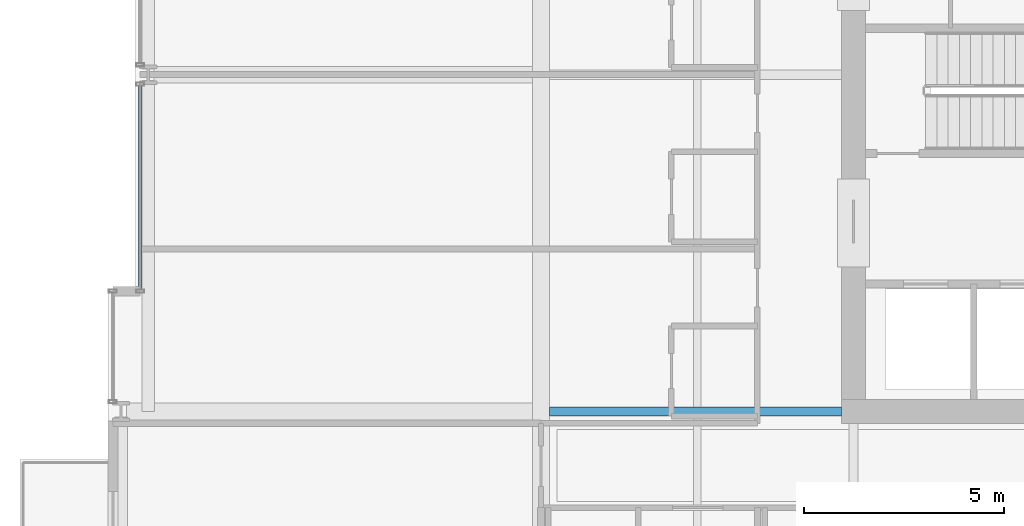
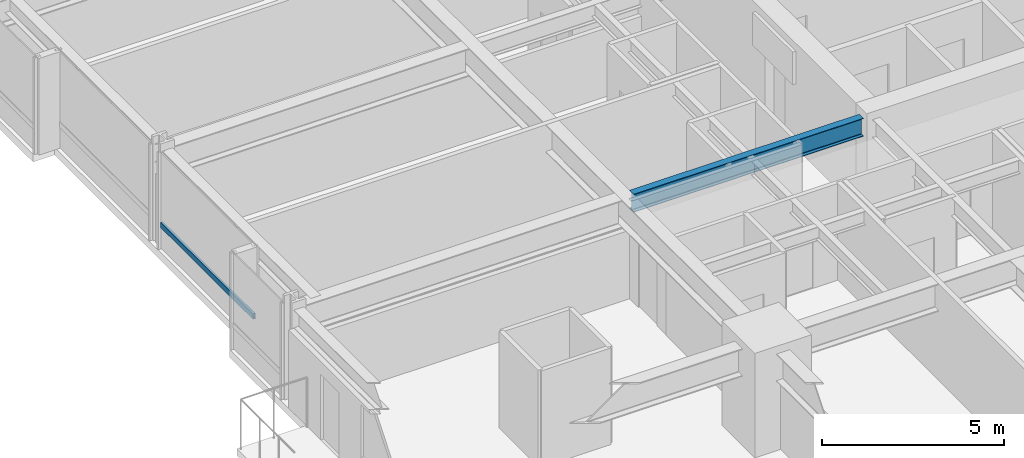
# One storey, part 8 of 42: 1 beam, 1 member, 1 element without a shape of its own.
"""IFC4 building model written with IfcOpenShell, lengths in metres."""

from ifc_helpers import new_model, si_unit, direction, frame, origin, origin_2d, place, context, subcontext, project, spatial, hollow_rectangle, i_section, extrude, material, layer, layer_set, material_profile, profile_set, type_object, element, aggregate, save


model = new_model("IFC4")

# Units and contexts
model_context = context("Model", 3, precision=1e-05, world=origin(), true_north=direction((0.0, 1.0)))
body_context = subcontext(model_context, "Body", "Model", "MODEL_VIEW")
ifc_project = project(units=[si_unit("LENGTHUNIT", "METRE"), si_unit("AREAUNIT", "SQUARE_METRE"), si_unit("VOLUMEUNIT", "CUBIC_METRE"), si_unit("PLANEANGLEUNIT", "RADIAN"), si_unit("MASSUNIT", "GRAM", prefix="KILO")], contexts=[model_context])

# Site, building, storey
site_placement = place(None, origin())
site = spatial("IfcSite", under=ifc_project, at=site_placement, CompositionType="ELEMENT")
building_placement = place(site_placement, origin())
building = spatial("IfcBuilding", under=site, at=building_placement, Name="Drelvath Grand Hotel", CompositionType="ELEMENT")
storey_placement = place(building_placement, frame((0.0, 0.0, 33.199951171875)))
storey = spatial("IfcBuildingStorey", under=building, at=storey_placement, Name="L06", CompositionType="ELEMENT", Elevation=33.199951171875)

# Curtain wall, member
ifc_material_1 = material(Name="Warm Bronze Anodised Aluminium Frame", Category="aluminium")
ifc_layer = layer(ifc_material_1, 0.199951171875)
ifc_layer_set = layer_set([ifc_layer], Name="Warm Bronze Anodised Aluminium Frame")
curtain_wall_type = type_object("IfcCurtainWallType", Name="Stick Curtain Wall CW-02 Warm Bronze Low-Rise", PredefinedType="NOTDEFINED", material=ifc_layer_set)
curtain_wall_placement = place(storey_placement, origin())
curtain_wall = element("IfcCurtainWall", 1, at=curtain_wall_placement, inside=storey, type_object=curtain_wall_type, Name="L06 CW-02 Curtain Wall CW02-L06-WM1", PredefinedType="NOTDEFINED")
ifc_material_profile_1 = material_profile(ifc_material_1, hollow_rectangle(XDim=0.074951171875, YDim=0.179931640625, WallThickness=0.0048828125, at=origin_2d()), Name="HSS180X75X5")
ifc_profile_set_1 = profile_set([ifc_material_profile_1], Name="Warm Bronze Anodised Aluminium Frame")
member_type = type_object("IfcMemberType", Name="Curtain Wall Horizontal Transom CW-02 HSS180X75X5", PredefinedType="USERDEFINED", material=ifc_profile_set_1)
member_placement = place(storey_placement, frame((-26.199951171875, 21.639892578125, 0.81005859375), z_axis=(0.0, 1.0, 0.0), x_axis=(-1.0, 0.0, 0.0)))
member = element("IfcMember", 2, at=member_placement, type_object=member_type, Name="CW02-L06-WM1 Sill Transom", ObjectType="TRANSOM", PredefinedType="USERDEFINED", context=body_context, shape_type="SweptSolid", body=[
    extrude(hollow_rectangle(XDim=0.074951171875, YDim=0.179931640625, WallThickness=0.0048828125, at=origin_2d()), origin(), (0.0, 0.0, 1.0), 5.0791015625),
])
aggregate(curtain_wall, [member])

# Beam
ifc_material_2 = material(Name="Steel ASTM A992 Gr 50", Category="steel")
ifc_material_profile_2 = material_profile(ifc_material_2, i_section(OverallWidth=0.228271484375, OverallDepth=0.607666015625, WebThickness=0.01123046875, FlangeThickness=0.017333984375, FilletRadius=0.02001953125, at=origin_2d()), Name="W24X76")
ifc_profile_set_2 = profile_set([ifc_material_profile_2], Name="Steel ASTM A992 Gr 50")
beam_type = type_object("IfcBeamType", Name="Primary Floor Girder W24X76", PredefinedType="BEAM", material=ifc_profile_set_2)
beam_placement = place(storey_placement, frame((-15.99072265625, 18.60009765625, 2.936279296875), z_axis=(1.0, 0.0, 0.0), x_axis=(0.0, 1.0, 0.0)))
element("IfcBeam", 3, at=beam_placement, inside=storey, type_object=beam_type, Name="L06 West Core Tie D", PredefinedType="BEAM", context=body_context, shape_type="SweptSolid", body=[
    extrude(i_section(OverallWidth=0.228271484375, OverallDepth=0.607666015625, WebThickness=0.01123046875, FlangeThickness=0.017333984375, FilletRadius=0.02001953125, at=origin_2d()), origin(), (0.0, 0.0, 1.0), 7.290771484375),
])

save(model, "model.ifc")
